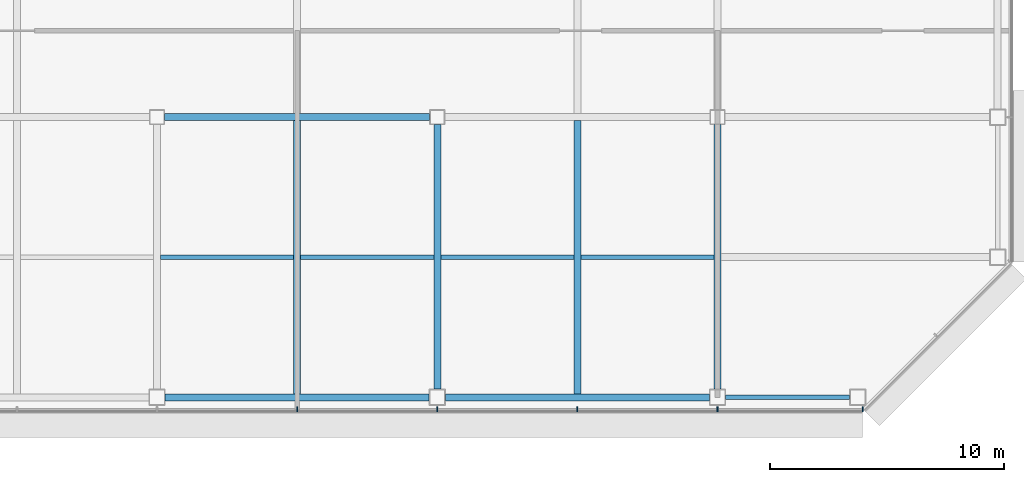
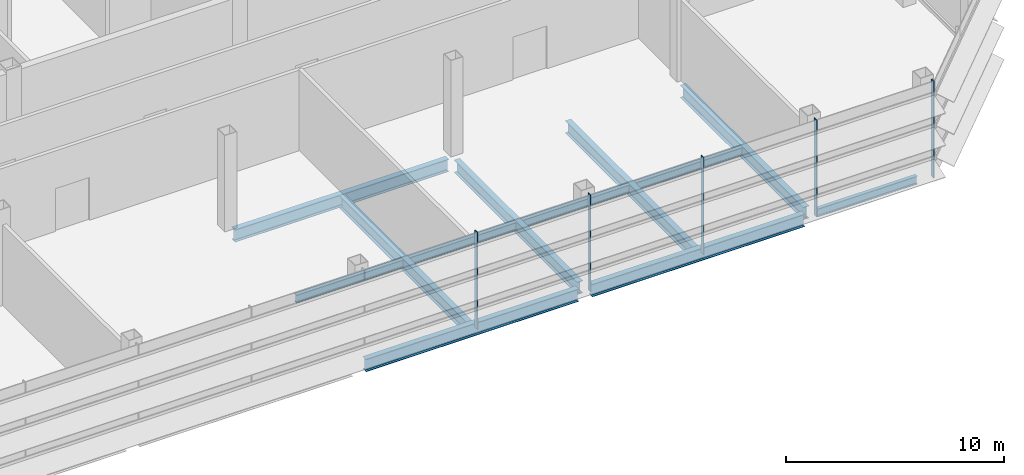
# One storey, part 7 of 24: 12 beams, 5 members, 1 element without a shape of its own.
"""IFC4 building model written with IfcOpenShell, lengths in metres."""

from ifc_helpers import new_model, si_unit, direction, frame, origin, origin_2d, place, context, subcontext, project, spatial, rectangle, i_section, extrude, material, material_profile, profile_set, type_object, element, aggregate, save


model = new_model("IFC4")

# Units and contexts
model_context = context("Model", 3, precision=1e-05, world=origin(), true_north=direction((0.0, 1.0)))
body_context = subcontext(model_context, "Body", "Model", "MODEL_VIEW")
ifc_project = project(units=[si_unit("LENGTHUNIT", "METRE"), si_unit("AREAUNIT", "SQUARE_METRE"), si_unit("VOLUMEUNIT", "CUBIC_METRE"), si_unit("PLANEANGLEUNIT", "RADIAN"), si_unit("MASSUNIT", "GRAM", prefix="KILO")], contexts=[model_context])

# Site, building, storey
site_placement = place(None, origin())
site = spatial("IfcSite", under=ifc_project, at=site_placement, CompositionType="ELEMENT")
building_placement = place(site_placement, origin())
building = spatial("IfcBuilding", under=site, at=building_placement, Name="Sorahane Residences", CompositionType="ELEMENT")
storey_placement = place(building_placement, frame((0.0, 0.0, 161.800048828125)))
storey = spatial("IfcBuildingStorey", under=building, at=storey_placement, Name="L37", CompositionType="ELEMENT", Elevation=161.800048828125)

# Curtain wall, members
ifc_material_1 = material(Name="Dark low-e glass and black anodised aluminium", Category="aluminium")
curtain_wall_type = type_object("IfcCurtainWallType", Name="Curtain wall CW-4 Sky floor frameless wall", PredefinedType="NOTDEFINED", material=ifc_material_1)
curtain_wall_placement = place(storey_placement, origin())
curtain_wall = element("IfcCurtainWall", 1, at=curtain_wall_placement, inside=storey, type_object=curtain_wall_type, Name="CW-4 curtain wall L37 S1", PredefinedType="NOTDEFINED")
ifc_material_2 = material(Name="Black anodised aluminium", Category="aluminium")
ifc_material_profile_1 = material_profile(ifc_material_2, rectangle(XDim=0.219970703125, YDim=0.050048828125, at=origin_2d()), Name="Curtain wall mullion CW-4 black anodised aluminium 50x220")
ifc_profile_set_1 = profile_set([ifc_material_profile_1], Name="Black anodised aluminium")
member_type = type_object("IfcMemberType", Name="Curtain wall mullion CW-4 black anodised aluminium 50x220", PredefinedType="MULLION", material=ifc_profile_set_1)
member_1_placement = place(storey_placement, frame((30.0, -0.510009765625, -0.219970703125), z_axis=(0.0, 0.0, 1.0), x_axis=(0.0, -1.0, 0.0)))
member_1 = element("IfcMember", 2, at=member_1_placement, type_object=member_type, Name="CW-4 mullion L37 S1.6", PredefinedType="MULLION", context=body_context, shape_type="SweptSolid", body=[
    extrude(rectangle(XDim=0.219970703125, YDim=0.050048828125, at=origin_2d()), origin(), (0.0, 0.0, 1.0), 5.43994140625),
])
member_2_placement = place(storey_placement, frame((36.0, -0.510009765625, -0.219970703125), z_axis=(0.0, 0.0, 1.0), x_axis=(0.0, -1.0, 0.0)))
member_2 = element("IfcMember", 3, at=member_2_placement, type_object=member_type, Name="CW-4 mullion L37 S1.7", PredefinedType="MULLION", context=body_context, shape_type="SweptSolid", body=[
    extrude(rectangle(XDim=0.219970703125, YDim=0.050048828125, at=origin_2d()), origin(), (0.0, 0.0, 1.0), 5.43994140625),
])
member_3_placement = place(storey_placement, frame((42.0, -0.510009765625, -0.219970703125), z_axis=(0.0, 0.0, 1.0), x_axis=(0.0, -1.0, 0.0)))
member_3 = element("IfcMember", 4, at=member_3_placement, type_object=member_type, Name="CW-4 mullion L37 S1.8", PredefinedType="MULLION", context=body_context, shape_type="SweptSolid", body=[
    extrude(rectangle(XDim=0.219970703125, YDim=0.050048828125, at=origin_2d()), origin(), (0.0, 0.0, 1.0), 5.43994140625),
])
member_4_placement = place(storey_placement, frame((48.0, -0.510009765625, -0.219970703125), z_axis=(0.0, 0.0, 1.0), x_axis=(0.0, -1.0, 0.0)))
member_4 = element("IfcMember", 5, at=member_4_placement, type_object=member_type, Name="CW-4 mullion L37 S1.9", PredefinedType="MULLION", context=body_context, shape_type="SweptSolid", body=[
    extrude(rectangle(XDim=0.219970703125, YDim=0.050048828125, at=origin_2d()), origin(), (0.0, 0.0, 1.0), 5.43994140625),
])
member_5_placement = place(storey_placement, frame((54.2236328125, -0.510009765625, -0.219970703125), z_axis=(0.0, 0.0, 1.0), x_axis=(0.0, -1.0, 0.0)))
member_5 = element("IfcMember", 6, at=member_5_placement, type_object=member_type, Name="CW-4 mullion L37 S1.10", PredefinedType="MULLION", context=body_context, shape_type="SweptSolid", body=[
    extrude(rectangle(XDim=0.219970703125, YDim=0.050048828125, at=origin_2d()), origin(), (0.0, 0.0, 1.0), 5.43994140625),
])
aggregate(curtain_wall, [member_1, member_2, member_3, member_4, member_5])

# Beams
ifc_material_3 = material(Name="Steel Q355B", Category="steel")
ifc_material_profile_2 = material_profile(ifc_material_3, i_section(OverallWidth=0.199951171875, OverallDepth=0.449951171875, WebThickness=0.009033203125, FlangeThickness=0.013916015625, FilletRadius=0.02001953125, at=origin_2d()), Name="HN 450x200x9x14")
ifc_profile_set_2 = profile_set([ifc_material_profile_2], Name="Steel Q355B")
beam_type_1 = type_object("IfcBeamType", Name="Steel floor beam HN 450x200x9x14 Q355B", PredefinedType="BEAM", material=ifc_profile_set_2)
beam_1_placement = place(storey_placement, frame((48.35009765625, 0.0, -0.445068359375), z_axis=(1.0, 0.0, 0.0), x_axis=(0.0, 1.0, 0.0)))
element("IfcBeam", 7, at=beam_1_placement, inside=storey, type_object=beam_type_1, Name="Beam L37 004", PredefinedType="BEAM", context=body_context, shape_type="SweptSolid", body=[
    extrude(i_section(OverallWidth=0.199951171875, OverallDepth=0.449951171875, WebThickness=0.009033203125, FlangeThickness=0.013916015625, FilletRadius=0.02001953125, at=origin_2d()), origin(), (0.0, 0.0, 1.0), 5.2998046875),
])
for number, where, z_axis, x_axis, name in (
    (8, (24.14990234375, 6.0, -0.445068359375), (1.0, 0.0, 0.0), (0.0, 1.0, 0.0), "Beam L37 073"),
    (9, (30.14990234375, 6.0, -0.445068359375), (1.0, 0.0, 0.0), (0.0, 1.0, 0.0), "Beam L37 074"),
    (10, (36.14990234375, 6.0, -0.445068359375), (1.0, 0.0, 0.0), (0.0, 1.0, 0.0), "Beam L37 075"),
    (11, (42.14990234375, 6.0, -0.445068359375), (1.0, 0.0, 0.0), (0.0, 1.0, 0.0), "Beam L37 076"),
):
    element("IfcBeam", number, at=place(storey_placement, frame(where, z_axis=z_axis, x_axis=x_axis)), inside=storey, type_object=beam_type_1, Name=name, PredefinedType="BEAM", context=body_context, shape_type="SweptSolid", body=[
        extrude(i_section(OverallWidth=0.199951171875, OverallDepth=0.449951171875, WebThickness=0.009033203125, FlangeThickness=0.013916015625, FilletRadius=0.02001953125, at=origin_2d()), origin(), (0.0, 0.0, 1.0), 5.7001953125),
    ])
ifc_material_4 = material(Name="Steel Q355B", Category="steel")
ifc_material_profile_3 = material_profile(ifc_material_4, i_section(OverallWidth=0.300048828125, OverallDepth=0.699951171875, WebThickness=0.012939453125, FlangeThickness=0.02392578125, FilletRadius=0.028076171875, at=origin_2d()), Name="HN 700x300x13x24")
ifc_profile_set_3 = profile_set([ifc_material_profile_3], Name="Steel Q355B")
beam_type_2 = type_object("IfcBeamType", Name="Steel floor beam HN 700x300x13x24 Q355B", PredefinedType="BEAM", material=ifc_profile_set_3)
for number, where, z_axis, x_axis, name in (
    (12, (24.35009765625, 0.0, -0.570068359375), (1.0, 0.0, 0.0), (0.0, 1.0, 0.0), "Beam L37 002"),
    (13, (36.35009765625, 0.0, -0.570068359375), (1.0, 0.0, 0.0), (0.0, 1.0, 0.0), "Beam L37 003"),
):
    element("IfcBeam", number, at=place(storey_placement, frame(where, z_axis=z_axis, x_axis=x_axis)), inside=storey, type_object=beam_type_2, Name=name, PredefinedType="BEAM", context=body_context, shape_type="SweptSolid", body=[
        extrude(i_section(OverallWidth=0.300048828125, OverallDepth=0.699951171875, WebThickness=0.012939453125, FlangeThickness=0.02392578125, FilletRadius=0.028076171875, at=origin_2d()), origin(), (0.0, 0.0, 1.0), 11.2998046875),
    ])
beam_2_placement = place(storey_placement, frame((24.324951171875, 12.0, -0.570068359375), z_axis=(1.0, 0.0, 0.0), x_axis=(0.0, 1.0, 0.0)))
element("IfcBeam", 14, at=beam_2_placement, inside=storey, type_object=beam_type_2, Name="Beam L37 008", PredefinedType="BEAM", context=body_context, shape_type="SweptSolid", body=[
    extrude(i_section(OverallWidth=0.300048828125, OverallDepth=0.699951171875, WebThickness=0.012939453125, FlangeThickness=0.02392578125, FilletRadius=0.028076171875, at=origin_2d()), origin(), (0.0, 0.0, 1.0), 11.35009765625),
])
beam_3_placement = place(storey_placement, frame((30.0, 0.14990234375, -0.570068359375), z_axis=(0.0, 1.0, 0.0), x_axis=(-1.0, 0.0, 0.0)))
element("IfcBeam", 15, at=beam_3_placement, inside=storey, type_object=beam_type_2, Name="Beam L37 044", PredefinedType="BEAM", context=body_context, shape_type="SweptSolid", body=[
    extrude(i_section(OverallWidth=0.300048828125, OverallDepth=0.699951171875, WebThickness=0.012939453125, FlangeThickness=0.02392578125, FilletRadius=0.028076171875, at=origin_2d()), origin(), (0.0, 0.0, 1.0), 11.7001953125),
])
beam_4_placement = place(storey_placement, frame((36.0, 0.35009765625, -0.570068359375), z_axis=(0.0, 1.0, 0.0), x_axis=(-1.0, 0.0, 0.0)))
element("IfcBeam", 16, at=beam_4_placement, inside=storey, type_object=beam_type_2, Name="Beam L37 050", PredefinedType="BEAM", context=body_context, shape_type="SweptSolid", body=[
    extrude(i_section(OverallWidth=0.300048828125, OverallDepth=0.699951171875, WebThickness=0.012939453125, FlangeThickness=0.02392578125, FilletRadius=0.028076171875, at=origin_2d()), origin(), (0.0, 0.0, 1.0), 11.324951171875),
])
beam_5_placement = place(storey_placement, frame((42.0, 0.14990234375, -0.570068359375), z_axis=(0.0, 1.0, 0.0), x_axis=(-1.0, 0.0, 0.0)))
element("IfcBeam", 17, at=beam_5_placement, inside=storey, type_object=beam_type_2, Name="Beam L37 052", PredefinedType="BEAM", context=body_context, shape_type="SweptSolid", body=[
    extrude(i_section(OverallWidth=0.300048828125, OverallDepth=0.699951171875, WebThickness=0.012939453125, FlangeThickness=0.02392578125, FilletRadius=0.028076171875, at=origin_2d()), origin(), (0.0, 0.0, 1.0), 11.7001953125),
])
beam_6_placement = place(storey_placement, frame((48.0, 0.35009765625, -0.570068359375), z_axis=(0.0, 1.0, 0.0), x_axis=(-1.0, 0.0, 0.0)))
element("IfcBeam", 18, at=beam_6_placement, inside=storey, type_object=beam_type_2, Name="Beam L37 058", PredefinedType="BEAM", context=body_context, shape_type="SweptSolid", body=[
    extrude(i_section(OverallWidth=0.300048828125, OverallDepth=0.699951171875, WebThickness=0.012939453125, FlangeThickness=0.02392578125, FilletRadius=0.028076171875, at=origin_2d()), origin(), (0.0, 0.0, 1.0), 11.324951171875),
])

save(model, "model.ifc")
